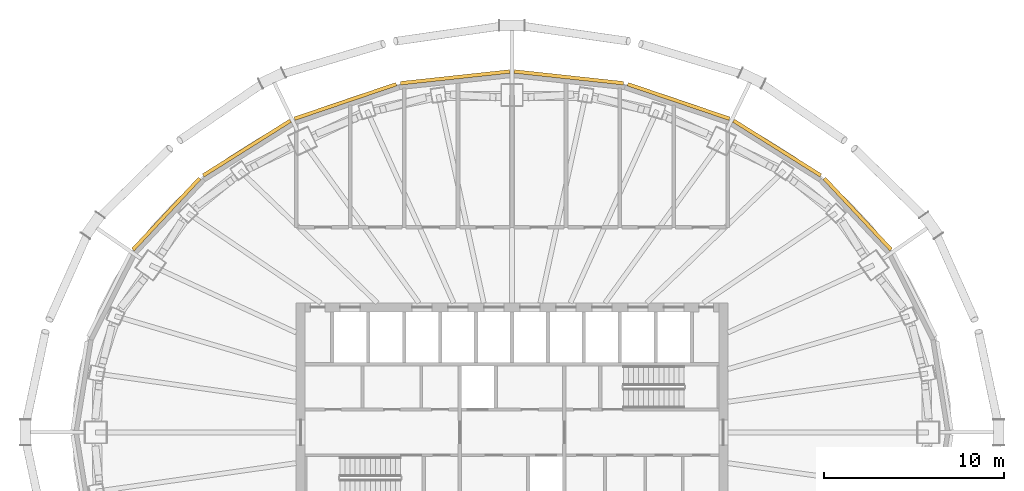
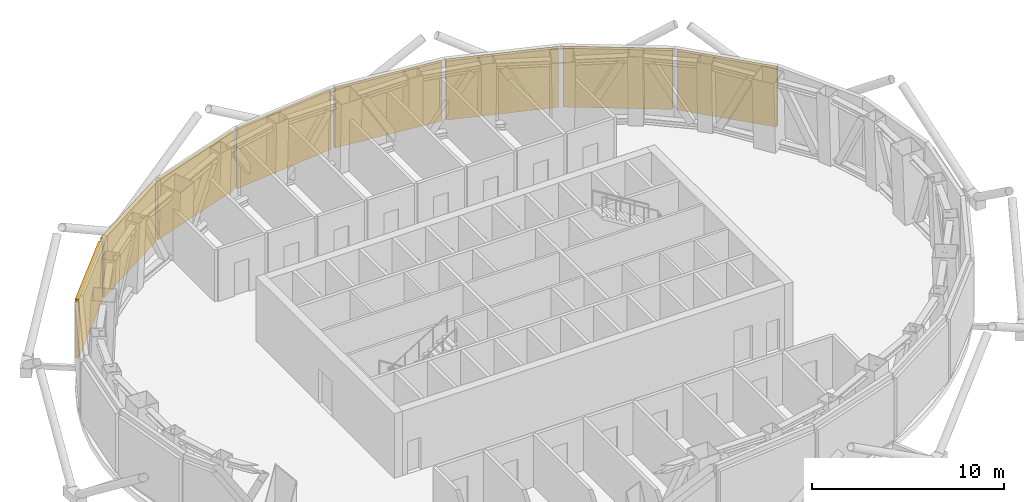
# One storey, part 16 of 16: 8 shading devices.
"""IFC4 building model written with IfcOpenShell, lengths in metres."""

from ifc_helpers import new_model, si_unit, direction, frame, origin, origin_2d, place, context, subcontext, project, spatial, rectangle, extrude, material, layer, layer_set, type_object, element, save


model = new_model("IFC4")

# Units and contexts
model_context = context("Model", 3, precision=1e-05, world=origin(), true_north=direction((0.0, 1.0)))
body_context = subcontext(model_context, "Body", "Model", "MODEL_VIEW")
ifc_project = project(units=[si_unit("LENGTHUNIT", "METRE"), si_unit("AREAUNIT", "SQUARE_METRE"), si_unit("VOLUMEUNIT", "CUBIC_METRE"), si_unit("PLANEANGLEUNIT", "RADIAN"), si_unit("MASSUNIT", "GRAM", prefix="KILO")], contexts=[model_context])

# Site, building, storey
site_placement = place(None, origin())
site = spatial("IfcSite", under=ifc_project, at=site_placement, CompositionType="ELEMENT")
building_placement = place(site_placement, origin())
building = spatial("IfcBuilding", under=site, at=building_placement, Name="Siaravel Broadcast Tower", CompositionType="ELEMENT")
storey_placement = place(building_placement, frame((0.0, 0.0, 152.60009765625)))
storey = spatial("IfcBuildingStorey", under=building, at=storey_placement, Name="L36", CompositionType="ELEMENT", Elevation=152.60009765625)

# Shading devices
ifc_material = material(Name="Bronze anodised aluminium", Category="aluminium")
ifc_layer = layer(ifc_material, 0.199951171875)
ifc_layer_set = layer_set([ifc_layer], Name="Bronze anodised aluminium")
shading_device_type = type_object("IfcShadingDeviceType", Name="Plant louvre bank", PredefinedType="USERDEFINED", material=ifc_layer_set)
shading_device_1_placement = place(storey_placement, frame((19.220458984375, 12.1416015625, 0.2998046875), z_axis=(0.0, 0.0, 1.0), x_axis=(-0.683654718, 0.729805608, 0.0)))
element("IfcShadingDevice", 1, at=shading_device_1_placement, inside=storey, type_object=shading_device_type, Name="L36 plant louvre bank 03", ObjectType="LOUVRE", PredefinedType="USERDEFINED", context=body_context, shape_type="SweptSolid", body=[
    extrude(rectangle(XDim=5.434814453125, YDim=0.199951171875, at=origin_2d()), origin(), (0.0, 0.0, 1.0), 3.75),
])
shading_device_2_placement = place(storey_placement, frame((14.74072265625, 15.811279296875, 0.2998046875), z_axis=(0.0, 0.0, 1.0), x_axis=(-0.846650436, 0.532149452, 0.0)))
element("IfcShadingDevice", 2, at=shading_device_2_placement, inside=storey, type_object=shading_device_type, Name="L36 plant louvre bank 04", ObjectType="LOUVRE", PredefinedType="USERDEFINED", context=body_context, shape_type="SweptSolid", body=[
    extrude(rectangle(XDim=5.727783203125, YDim=0.199951171875, at=origin_2d()), origin(), (0.0, 0.0, 1.0), 3.75),
])
shading_device_3_placement = place(storey_placement, frame((9.262939453125, 18.402099609375, 0.2998046875), z_axis=(0.0, 0.0, 1.0), x_axis=(-0.946977245, 0.321300635, 0.0)))
element("IfcShadingDevice", 3, at=shading_device_3_placement, inside=storey, type_object=shading_device_type, Name="L36 plant louvre bank 05", ObjectType="LOUVRE", PredefinedType="USERDEFINED", context=body_context, shape_type="SweptSolid", body=[
    extrude(rectangle(XDim=5.97021484375, YDim=0.199951171875, at=origin_2d()), origin(), (0.0, 0.0, 1.0), 3.75),
])
for number, where, z_axis, x_axis, name in (
    (4, (3.15869140625, 19.7421875, 0.2998046875), (0.0, 0.0, 1.0), (-0.994235667, 0.107216783, 0.0), "L36 plant louvre bank 06"),
    (5, (-3.15869140625, 19.7421875, 0.2998046875), (0.0, 0.0, 1.0), (-0.994235667, -0.107216783, 0.0), "L36 plant louvre bank 07"),
):
    element("IfcShadingDevice", number, at=place(storey_placement, frame(where, z_axis=z_axis, x_axis=x_axis)), inside=storey, type_object=shading_device_type, Name=name, ObjectType="LOUVRE", PredefinedType="USERDEFINED", context=body_context, shape_type="SweptSolid", body=[
        extrude(rectangle(XDim=6.10595703125, YDim=0.199951171875, at=origin_2d()), origin(), (0.0, 0.0, 1.0), 3.75),
    ])
shading_device_4_placement = place(storey_placement, frame((-9.262939453125, 18.402099609375, 0.2998046875), z_axis=(0.0, 0.0, 1.0), x_axis=(-0.946977245, -0.321300635, 0.0)))
element("IfcShadingDevice", 6, at=shading_device_4_placement, inside=storey, type_object=shading_device_type, Name="L36 plant louvre bank 08", ObjectType="LOUVRE", PredefinedType="USERDEFINED", context=body_context, shape_type="SweptSolid", body=[
    extrude(rectangle(XDim=5.97021484375, YDim=0.199951171875, at=origin_2d()), origin(), (0.0, 0.0, 1.0), 3.75),
])
shading_device_5_placement = place(storey_placement, frame((-14.74072265625, 15.811279296875, 0.2998046875), z_axis=(0.0, 0.0, 1.0), x_axis=(-0.846650436, -0.532149452, 0.0)))
element("IfcShadingDevice", 7, at=shading_device_5_placement, inside=storey, type_object=shading_device_type, Name="L36 plant louvre bank 09", ObjectType="LOUVRE", PredefinedType="USERDEFINED", context=body_context, shape_type="SweptSolid", body=[
    extrude(rectangle(XDim=5.727783203125, YDim=0.199951171875, at=origin_2d()), origin(), (0.0, 0.0, 1.0), 3.75),
])
shading_device_6_placement = place(storey_placement, frame((-19.220458984375, 12.1416015625, 0.2998046875), z_axis=(0.0, 0.0, 1.0), x_axis=(-0.683654718, -0.729805608, 0.0)))
element("IfcShadingDevice", 8, at=shading_device_6_placement, inside=storey, type_object=shading_device_type, Name="L36 plant louvre bank 10", ObjectType="LOUVRE", PredefinedType="USERDEFINED", context=body_context, shape_type="SweptSolid", body=[
    extrude(rectangle(XDim=5.434814453125, YDim=0.199951171875, at=origin_2d()), origin(), (0.0, 0.0, 1.0), 3.75),
])

save(model, "model.ifc")
